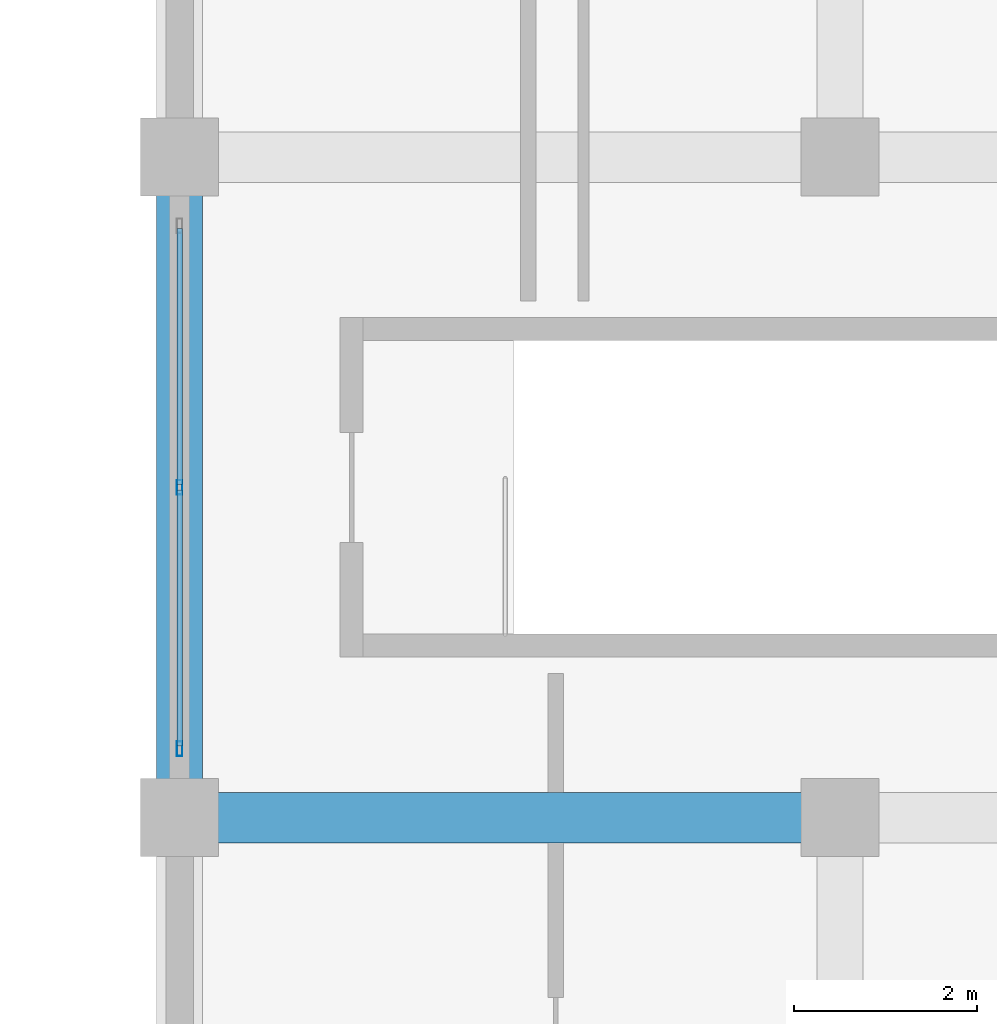
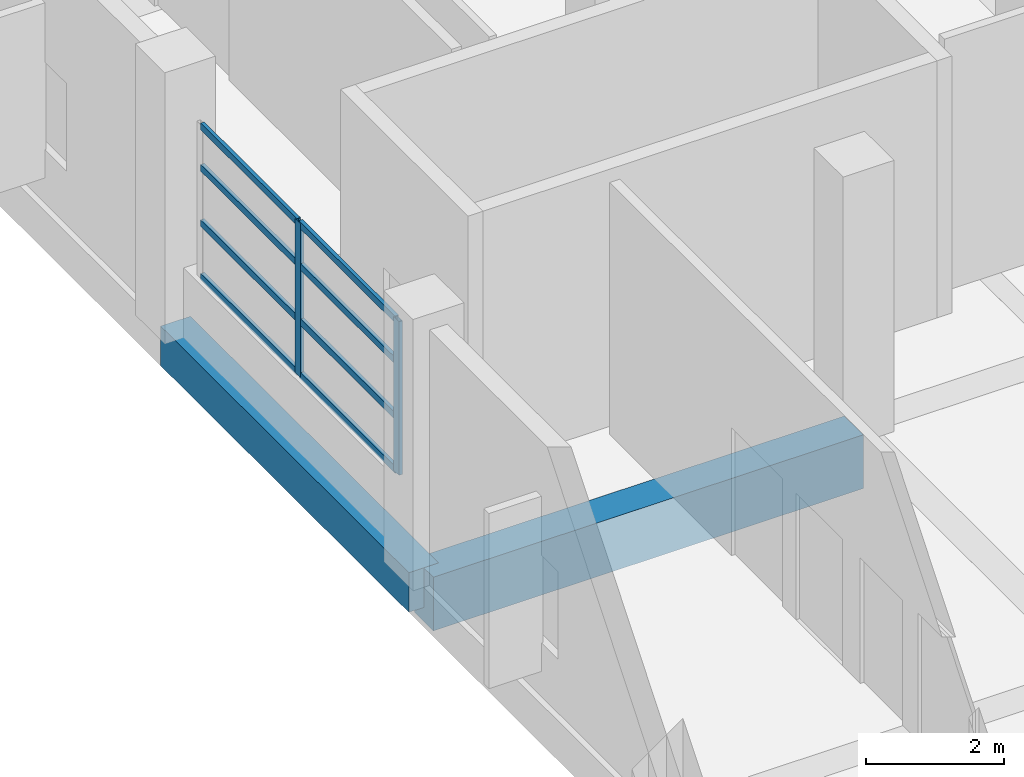
# One storey, part 121 of 181: 10 members, 2 beams, 1 element without a shape of its own.
"""IFC4 building model written with IfcOpenShell, lengths in metres."""

from ifc_helpers import new_model, si_unit, direction, frame, origin, origin_2d, place, context, subcontext, project, spatial, rectangle, hollow_rectangle, extrude, material, layer, layer_set, material_profile, profile_set, type_object, element, aggregate, save


model = new_model("IFC4")

# Units and contexts
model_context = context("Model", 3, precision=1e-05, world=origin(), true_north=direction((0.0, 1.0)))
body_context = subcontext(model_context, "Body", "Model", "MODEL_VIEW")
ifc_project = project(units=[si_unit("LENGTHUNIT", "METRE"), si_unit("AREAUNIT", "SQUARE_METRE"), si_unit("VOLUMEUNIT", "CUBIC_METRE"), si_unit("PLANEANGLEUNIT", "RADIAN"), si_unit("MASSUNIT", "GRAM", prefix="KILO")], contexts=[model_context])

# Site, building, storey
site_placement = place(None, origin())
site = spatial("IfcSite", under=ifc_project, at=site_placement, CompositionType="ELEMENT")
building_placement = place(site_placement, origin())
building = spatial("IfcBuilding", under=site, at=building_placement, Name="Seraya Terrace Polytechnic", CompositionType="ELEMENT")
storey_placement = place(building_placement, frame((0.0, 0.0, 4.800048828125)))
storey = spatial("IfcBuildingStorey", under=building, at=storey_placement, Name="L01", CompositionType="ELEMENT", Elevation=4.800048828125)

# Beams
ifc_material_1 = material(Name="Concrete C40/50", Category="concrete")
ifc_material_profile_1 = material_profile(ifc_material_1, rectangle(XDim=0.550048828125, YDim=0.949951171875, at=origin_2d()), Name="RC 550x950")
ifc_profile_set_1 = profile_set([ifc_material_profile_1], Name="Concrete C40/50")
beam_type_1 = type_object("IfcBeamType", Name="BM-03", PredefinedType="BEAM", material=ifc_profile_set_1)
beam_1_placement = place(storey_placement, frame((144.0, 57.60009765625, -0.47509765625), z_axis=(1.0, 0.0, 0.0), x_axis=(0.0, 1.0, 0.0)))
element("IfcBeam", 1, at=beam_1_placement, inside=storey, type_object=beam_type_1, Name="Beam BM-03 L01 X (144.0..151.2, 57.6)", PredefinedType="BEAM", context=body_context, shape_type="SweptSolid", body=[
    extrude(rectangle(XDim=0.550048828125, YDim=0.949951171875, at=origin_2d()), origin(), (0.0, 0.0, 1.0), 7.199951171875),
])
ifc_material_profile_2 = material_profile(ifc_material_1, rectangle(XDim=0.5, YDim=0.699951171875, at=origin_2d()), Name="RC 500x700")
ifc_profile_set_2 = profile_set([ifc_material_profile_2], Name="Concrete C40/50")
beam_type_2 = type_object("IfcBeamType", Name="BM-07", PredefinedType="BEAM", material=ifc_profile_set_2)
beam_2_placement = place(storey_placement, frame((144.0, 57.60009765625, -0.35009765625), z_axis=(0.0, 1.0, 0.0), x_axis=(-1.0, 0.0, 0.0)))
element("IfcBeam", 2, at=beam_2_placement, inside=storey, type_object=beam_type_2, Name="Beam BM-07 L01 Y (144.0, 57.6..64.8)", PredefinedType="BEAM", context=body_context, shape_type="SweptSolid", body=[
    extrude(rectangle(XDim=0.5, YDim=0.699951171875, at=origin_2d()), origin(), (0.0, 0.0, 1.0), 7.199951171875),
])

# Curtain wall, members
ifc_material_2 = material(Name="Anodised aluminium EN AW-6063 T6", Category="aluminium")
ifc_layer = layer(ifc_material_2, 0.179931640625, Name="CW-11")
ifc_layer_set = layer_set([ifc_layer], Name="Anodised aluminium EN AW-6063 T6")
curtain_wall_type = type_object("IfcCurtainWallType", Name="CW-11", PredefinedType="NOTDEFINED", material=ifc_layer_set)
curtain_wall_placement = place(storey_placement, origin())
curtain_wall = element("IfcCurtainWall", 3, at=curtain_wall_placement, inside=storey, type_object=curtain_wall_type, Name="Unitised curtain wall CW-11 (CW-L01-047)", PredefinedType="NOTDEFINED")
ifc_material_profile_3 = material_profile(ifc_material_2, hollow_rectangle(XDim=0.06005859375, YDim=0.159912109375, WallThickness=0.00341796875, at=origin_2d()), Name="RHS 160x60x3.5")
ifc_profile_set_3 = profile_set([ifc_material_profile_3], Name="Anodised aluminium EN AW-6063 T6")
member_type_1 = type_object("IfcMemberType", Name="CWM-02", PredefinedType="MULLION", material=ifc_profile_set_3)
member_1_placement = place(storey_placement, frame((144.0, 58.35009765625, 1.239990234375), z_axis=(0.0, 0.0, 1.0), x_axis=(-1.0, 0.0, 0.0)))
member_1 = element("IfcMember", 4, at=member_1_placement, type_object=member_type_1, Name="CW-11 mullion 1", PredefinedType="MULLION", context=body_context, shape_type="SweptSolid", body=[
    extrude(hollow_rectangle(XDim=0.06005859375, YDim=0.159912109375, WallThickness=0.00341796875, at=origin_2d()), origin(), (0.0, 0.0, 1.0), 2.719970703125),
])
member_2_placement = place(storey_placement, frame((144.0, 61.199951171875, 1.239990234375), z_axis=(0.0, 0.0, 1.0), x_axis=(-1.0, 0.0, 0.0)))
member_2 = element("IfcMember", 5, at=member_2_placement, type_object=member_type_1, Name="CW-11 mullion 2", PredefinedType="MULLION", context=body_context, shape_type="SweptSolid", body=[
    extrude(hollow_rectangle(XDim=0.06005859375, YDim=0.159912109375, WallThickness=0.00341796875, at=origin_2d()), origin(), (0.0, 0.0, 1.0), 2.719970703125),
])
ifc_material_profile_4 = material_profile(ifc_material_2, hollow_rectangle(XDim=0.06005859375, YDim=0.1201171875, WallThickness=0.003173828125, at=origin_2d()), Name="RHS 120x60x3.2")
ifc_profile_set_4 = profile_set([ifc_material_profile_4], Name="Anodised aluminium EN AW-6063 T6")
member_type_2 = type_object("IfcMemberType", Name="CWT-02", PredefinedType="USERDEFINED", material=ifc_profile_set_4)
member_3_placement = place(storey_placement, frame((144.0, 58.3798828125, 1.27001953125), z_axis=(0.0, 1.0, 0.0), x_axis=(-1.0, 0.0, 0.0)))
member_3 = element("IfcMember", 6, at=member_3_placement, type_object=member_type_2, Name="CW-11 transom 1.1", ObjectType="TRANSOM", PredefinedType="USERDEFINED", context=body_context, shape_type="SweptSolid", body=[
    extrude(hollow_rectangle(XDim=0.06005859375, YDim=0.1201171875, WallThickness=0.003173828125, at=origin_2d()), origin(), (0.0, 0.0, 1.0), 2.7900390625),
])
member_4_placement = place(storey_placement, frame((144.0, 58.3798828125, 2.21923828125), z_axis=(0.0, 1.0, 0.0), x_axis=(-1.0, 0.0, 0.0)))
member_4 = element("IfcMember", 7, at=member_4_placement, type_object=member_type_2, Name="CW-11 transom 1.2", ObjectType="TRANSOM", PredefinedType="USERDEFINED", context=body_context, shape_type="SweptSolid", body=[
    extrude(hollow_rectangle(XDim=0.06005859375, YDim=0.1201171875, WallThickness=0.003173828125, at=origin_2d()), origin(), (0.0, 0.0, 1.0), 2.7900390625),
])
member_5_placement = place(storey_placement, frame((144.0, 58.3798828125, 3.1982421875), z_axis=(0.0, 1.0, 0.0), x_axis=(-1.0, 0.0, 0.0)))
member_5 = element("IfcMember", 8, at=member_5_placement, type_object=member_type_2, Name="CW-11 transom 1.3", ObjectType="TRANSOM", PredefinedType="USERDEFINED", context=body_context, shape_type="SweptSolid", body=[
    extrude(hollow_rectangle(XDim=0.06005859375, YDim=0.1201171875, WallThickness=0.003173828125, at=origin_2d()), origin(), (0.0, 0.0, 1.0), 2.7900390625),
])
member_6_placement = place(storey_placement, frame((144.0, 58.3798828125, 3.929931640625), z_axis=(0.0, 1.0, 0.0), x_axis=(-1.0, 0.0, 0.0)))
member_6 = element("IfcMember", 9, at=member_6_placement, type_object=member_type_2, Name="CW-11 transom 1.4", ObjectType="TRANSOM", PredefinedType="USERDEFINED", context=body_context, shape_type="SweptSolid", body=[
    extrude(hollow_rectangle(XDim=0.06005859375, YDim=0.1201171875, WallThickness=0.003173828125, at=origin_2d()), origin(), (0.0, 0.0, 1.0), 2.7900390625),
])
member_7_placement = place(storey_placement, frame((144.0, 61.22998046875, 1.27001953125), z_axis=(0.0, 1.0, 0.0), x_axis=(-1.0, 0.0, 0.0)))
member_7 = element("IfcMember", 10, at=member_7_placement, type_object=member_type_2, Name="CW-11 transom 2.1", ObjectType="TRANSOM", PredefinedType="USERDEFINED", context=body_context, shape_type="SweptSolid", body=[
    extrude(hollow_rectangle(XDim=0.06005859375, YDim=0.1201171875, WallThickness=0.003173828125, at=origin_2d()), origin(), (0.0, 0.0, 1.0), 2.7900390625),
])
member_8_placement = place(storey_placement, frame((144.0, 61.22998046875, 2.21923828125), z_axis=(0.0, 1.0, 0.0), x_axis=(-1.0, 0.0, 0.0)))
member_8 = element("IfcMember", 11, at=member_8_placement, type_object=member_type_2, Name="CW-11 transom 2.2", ObjectType="TRANSOM", PredefinedType="USERDEFINED", context=body_context, shape_type="SweptSolid", body=[
    extrude(hollow_rectangle(XDim=0.06005859375, YDim=0.1201171875, WallThickness=0.003173828125, at=origin_2d()), origin(), (0.0, 0.0, 1.0), 2.7900390625),
])
member_9_placement = place(storey_placement, frame((144.0, 61.22998046875, 3.1982421875), z_axis=(0.0, 1.0, 0.0), x_axis=(-1.0, 0.0, 0.0)))
member_9 = element("IfcMember", 12, at=member_9_placement, type_object=member_type_2, Name="CW-11 transom 2.3", ObjectType="TRANSOM", PredefinedType="USERDEFINED", context=body_context, shape_type="SweptSolid", body=[
    extrude(hollow_rectangle(XDim=0.06005859375, YDim=0.1201171875, WallThickness=0.003173828125, at=origin_2d()), origin(), (0.0, 0.0, 1.0), 2.7900390625),
])
member_10_placement = place(storey_placement, frame((144.0, 61.22998046875, 3.929931640625), z_axis=(0.0, 1.0, 0.0), x_axis=(-1.0, 0.0, 0.0)))
member_10 = element("IfcMember", 13, at=member_10_placement, type_object=member_type_2, Name="CW-11 transom 2.4", ObjectType="TRANSOM", PredefinedType="USERDEFINED", context=body_context, shape_type="SweptSolid", body=[
    extrude(hollow_rectangle(XDim=0.06005859375, YDim=0.1201171875, WallThickness=0.003173828125, at=origin_2d()), origin(), (0.0, 0.0, 1.0), 2.7900390625),
])
aggregate(curtain_wall, [member_1, member_2, member_3, member_4, member_5, member_6, member_7, member_8, member_9, member_10])

save(model, "model.ifc")
